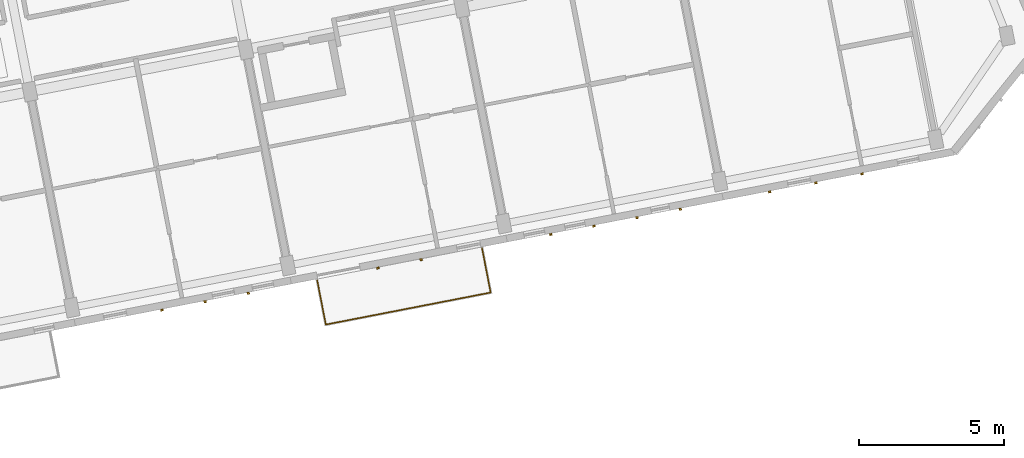
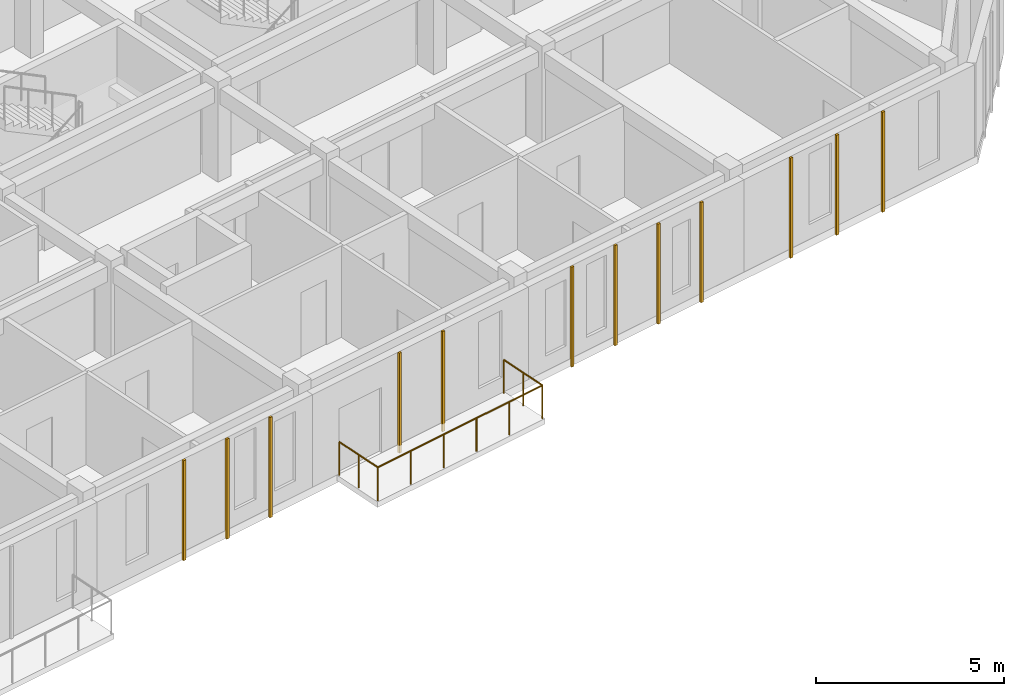
# One storey, part 62 of 68: 12 coverings, 1 railing.
"""IFC4 building model written with IfcOpenShell, lengths in metres."""

from ifc_helpers import new_model, si_unit, direction, frame, origin, origin_2d, place, context, subcontext, project, spatial, rectangle, circle, extrude, material, layer, layer_set, type_object, element, save


model = new_model("IFC4")

# Units and contexts
model_context = context("Model", 3, precision=1e-05, world=origin(), true_north=direction((0.0, 1.0)))
body_context = subcontext(model_context, "Body", "Model", "MODEL_VIEW")
ifc_project = project(units=[si_unit("LENGTHUNIT", "METRE"), si_unit("AREAUNIT", "SQUARE_METRE"), si_unit("VOLUMEUNIT", "CUBIC_METRE"), si_unit("PLANEANGLEUNIT", "RADIAN"), si_unit("MASSUNIT", "GRAM", prefix="KILO")], contexts=[model_context])

# Site, building, storey
site_placement = place(None, origin())
site = spatial("IfcSite", under=ifc_project, at=site_placement, CompositionType="ELEMENT")
building_placement = place(site_placement, origin())
building = spatial("IfcBuilding", under=site, at=building_placement, Name="Kestramere Prow Commons", CompositionType="ELEMENT")
storey_placement = place(building_placement, frame((0.0, 0.0, 18.14990234375)))
storey = spatial("IfcBuildingStorey", under=building, at=storey_placement, Name="L05", CompositionType="ELEMENT", Elevation=18.14990234375)

# Coverings
ifc_material_1 = material(Name="Weathered Zinc-Titanium Standing-Seam Cladding")
ifc_layer = layer(ifc_material_1, 0.074951171875)
ifc_layer_set = layer_set([ifc_layer], Name="Weathered Zinc-Titanium Standing-Seam Cladding")
covering_type = type_object("IfcCoveringType", Name="COV-CLAD-SEAM", PredefinedType="CLADDING", material=ifc_layer_set)
for number, where, z_axis, x_axis, name in (
    (1, (139.418212890625, 37.395263671875, -0.25), (0.0, 0.0, 1.0), (-0.981627183448, -0.190808995377, 0.0), "EW-D-L05-S-2 Standing-Seam Rib 1"),
    (2, (137.92626953125, 37.105224609375, -0.25), (0.0, 0.0, 1.0), (-0.981627183448, -0.190808995377, 0.0), "EW-D-L05-S-2 Standing-Seam Rib 2"),
    (3, (136.43408203125, 36.815185546875, -0.25), (0.0, 0.0, 1.0), (-0.981627183448, -0.190808995377, 0.0), "EW-D-L05-S-2 Standing-Seam Rib 3"),
    (4, (145.386474609375, 38.555419921875, -0.25), (0.0, 0.0, 1.0), (-0.981627183448, -0.190808995377, 0.0), "EW-D-L05-S-3 Standing-Seam Rib 2"),
    (5, (143.89453125, 38.265380859375, -0.25), (0.0, 0.0, 1.0), (-0.981627183448, -0.190808995377, 0.0), "EW-D-L05-S-3 Standing-Seam Rib 3"),
    (6, (154.339111328125, 40.295654296875, -0.25), (0.0, 0.0, 1.0), (-0.981627183448, -0.190808995377, 0.0), "EW-D-L05-S-4 Standing-Seam Rib 1"),
    (7, (152.846923828125, 40.005615234375, -0.25), (0.0, 0.0, 1.0), (-0.981627183448, -0.190808995377, 0.0), "EW-D-L05-S-4 Standing-Seam Rib 2"),
    (8, (151.35498046875, 39.715576171875, -0.25), (0.0, 0.0, 1.0), (-0.981627183448, -0.190808995377, 0.0), "EW-D-L05-S-4 Standing-Seam Rib 3"),
    (9, (149.86279296875, 39.425537109375, -0.25), (0.0, 0.0, 1.0), (-0.981627183448, -0.190808995377, 0.0), "EW-D-L05-S-4 Standing-Seam Rib 4"),
    (10, (160.616455078125, 41.515869140625, -0.25), (0.0, 0.0, 1.0), (-0.981627183448, -0.190808995377, 0.0), "EW-D-L05-S-5 Standing-Seam Rib 2"),
    (11, (159.021484375, 41.205810546875, -0.25), (0.0, 0.0, 1.0), (-0.981627183448, -0.190808995377, 0.0), "EW-D-L05-S-5 Standing-Seam Rib 3"),
    (12, (157.42626953125, 40.895751953125, -0.25), (0.0, 0.0, 1.0), (-0.981627183448, -0.190808995377, 0.0), "EW-D-L05-S-5 Standing-Seam Rib 4"),
):
    element("IfcCovering", number, at=place(storey_placement, frame(where, z_axis=z_axis, x_axis=x_axis)), inside=storey, type_object=covering_type, Name=name, PredefinedType="CLADDING", context=body_context, shape_type="SweptSolid", body=[
        extrude(rectangle(XDim=0.0849609375, YDim=0.06494140625, at=origin_2d()), origin(), (0.0, 0.0, 1.0), 3.25),
    ])

# Railing
ifc_material_2 = material(Name="Powder-Coated Aluminium 6063-T6", Category="aluminium")
railing_type = type_object("IfcRailingType", Name="GRD-BALC-1100", PredefinedType="BALUSTRADE", material=ifc_material_2)
railing_placement = place(storey_placement, frame((141.796142578125, 37.844970703125, 0.0)))
element("IfcRailing", 13, at=railing_placement, inside=storey, type_object=railing_type, Name="Block D L05 Balcony Guardrail 4", PredefinedType="BALUSTRADE", context=body_context, shape_type="SweptSolid", body=[
    extrude(circle(Radius=0.02392578125, at=origin_2d()), frame((0.0, 0.0, 1.076171875), z_axis=(0.190907354118, -0.981608059331, 0.0), x_axis=(0.981608059331, 0.190907354118, 0.0)), (0.0, 0.0, 1.0), 1.560302734375),
    extrude(circle(Radius=0.02392578125, at=origin_2d()), frame((0.2978515625, -1.531494140625, 1.076171875), z_axis=(0.981626779841, 0.190811071742, 0.0), x_axis=(-0.190811071742, 0.981626779841, 0.0)), (0.0, 0.0, 1.0), 5.7998046875),
    extrude(circle(Radius=0.02392578125, at=origin_2d()), frame((5.9912109375, -0.4248046875, 1.076171875), z_axis=(-0.190756568988, 0.981637372652, 0.0), x_axis=(-0.981637372652, -0.190756568988, 0.0)), (0.0, 0.0, 1.0), 1.56005859375),
    extrude(circle(Radius=0.02099609375, at=origin_2d()), origin(), (0.0, 0.0, 1.0), 1.052001953125),
    extrude(circle(Radius=0.02099609375, at=origin_2d()), frame((0.14892578125, -0.765625, 0.0)), (0.0, 0.0, 1.0), 1.052001953125),
    extrude(circle(Radius=0.02099609375, at=origin_2d()), frame((0.2978515625, -1.531494140625, 0.0)), (0.0, 0.0, 1.0), 1.052001953125),
    extrude(circle(Radius=0.02099609375, at=origin_2d()), frame((1.4365234375, -1.31005859375, 0.0)), (0.0, 0.0, 1.0), 1.052001953125),
    extrude(circle(Radius=0.02099609375, at=origin_2d()), frame((2.5751953125, -1.0888671875, 0.0)), (0.0, 0.0, 1.0), 1.052001953125),
    extrude(circle(Radius=0.02099609375, at=origin_2d()), frame((3.7138671875, -0.867431640625, 0.0)), (0.0, 0.0, 1.0), 1.052001953125),
    extrude(circle(Radius=0.02099609375, at=origin_2d()), frame((4.8525390625, -0.646240234375, 0.0)), (0.0, 0.0, 1.0), 1.052001953125),
    extrude(circle(Radius=0.02099609375, at=origin_2d()), frame((5.9912109375, -0.4248046875, 0.0)), (0.0, 0.0, 1.0), 1.052001953125),
    extrude(circle(Radius=0.02099609375, at=origin_2d()), frame((5.84228515625, 0.3408203125, 0.0)), (0.0, 0.0, 1.0), 1.052001953125),
    extrude(circle(Radius=0.02099609375, at=origin_2d()), frame((5.693603515625, 1.106689453125, 0.0)), (0.0, 0.0, 1.0), 1.052001953125),
])

save(model, "model.ifc")
